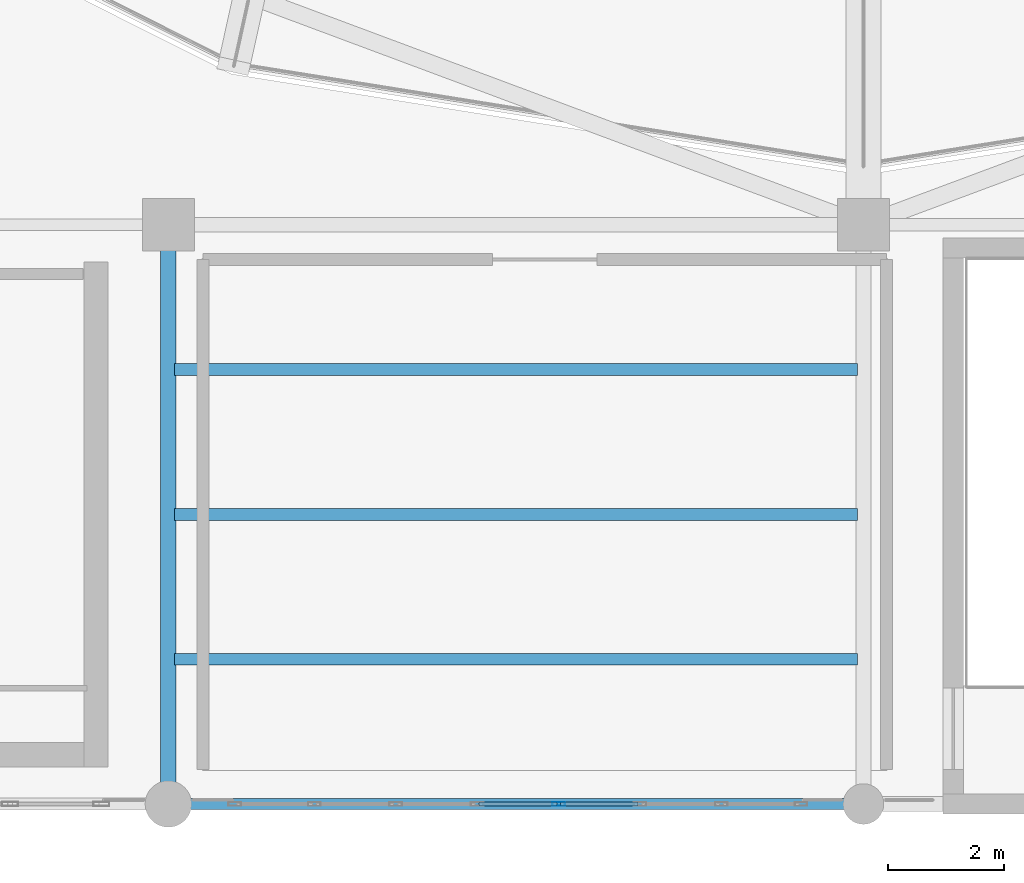
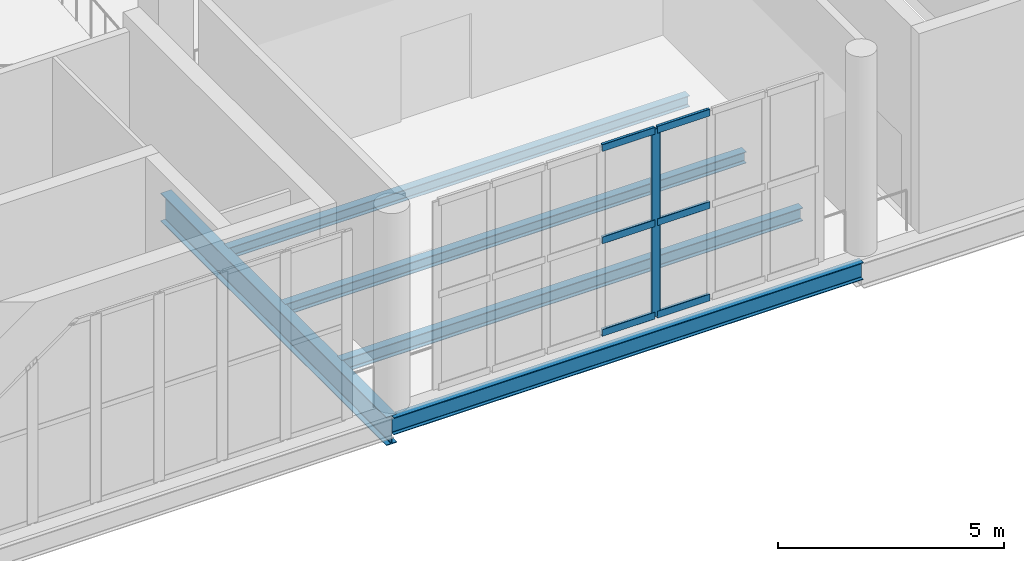
# One storey, part 10 of 74: 7 members, 5 beams, 1 element without a shape of its own.
"""IFC4 building model written with IfcOpenShell, lengths in metres."""

import ifcopenshell
import ifcopenshell.guid

model = None  # the IFC model being written
_history = None  # IfcOwnerHistory: only IFC2X3 demands one
_inside = {}  # id of a spatial element -> (the spatial element, [elements in it])
_under = {}  # id of a project, library or spatial element -> (it, [spatial elements below it])
_declared = {}  # id of a project -> (the project, [libraries it declares])
_typed = {}  # id of a type object -> (the type object, [elements of that type])
_made_of = {}  # id of a material, layer set ... -> (it, [elements and type objects made of it])


def new_model(schema):
    """Start an empty IFC model of exactly this schema.

    Asked for "IFC4X3", IfcOpenShell would pick the latest addendum, in which some entities
    have other attributes; the version numbers below select the first issue.
    IFC2X3 requires an IfcOwnerHistory on every rooted entity: one is made here for all.
    """
    global model, _history
    if schema == "IFC4X3":
        model = ifcopenshell.file(schema_version=(4, 3, 0, 0))
    else:
        model = ifcopenshell.file(schema=schema)
    _inside.clear()
    _under.clear()
    _declared.clear()
    _typed.clear()
    _made_of.clear()
    _history = None
    if model.schema == "IFC2X3":
        org = make("IfcOrganization", Name="unknown")
        user = make(
            "IfcPersonAndOrganization",
            ThePerson=make("IfcPerson", FamilyName="unknown"),
            TheOrganization=org,
        )
        app = make(
            "IfcApplication",
            ApplicationDeveloper=org,
            Version="unknown",
            ApplicationFullName="unknown",
            ApplicationIdentifier="unknown",
        )
        _history = make(
            "IfcOwnerHistory",
            OwningUser=user,
            OwningApplication=app,
            ChangeAction="ADDED",
            CreationDate=0,
        )
    return model


def make(cls, **values):
    """One entity of the class cls with the attributes given. An attribute that is None is left unset."""
    return model.create_entity(
        cls, **{name: value for name, value in values.items() if value is not None}
    )


def rooted(cls, **values):
    """An entity with a GlobalId (a new one), such as an element, a storey or a relation."""
    return make(cls, GlobalId=ifcopenshell.guid.new(), OwnerHistory=_history, **values)


def si_unit(unit_type, name, prefix=None):
    """IfcSIUnit, for example si_unit("LENGTHUNIT", "METRE", prefix="MILLI")."""
    return make("IfcSIUnit", UnitType=unit_type, Prefix=prefix, Name=name)


def assignment(units):
    """IfcUnitAssignment: the units of a project."""
    return None if units is None else make("IfcUnitAssignment", Units=units)


def point(xyz):
    """IfcCartesianPoint."""
    return None if xyz is None else make("IfcCartesianPoint", Coordinates=xyz)


def direction(xyz):
    """IfcDirection."""
    return None if xyz is None else make("IfcDirection", DirectionRatios=xyz)


def frame(location, z_axis=None, x_axis=None):
    """IfcAxis2Placement3D, a coordinate frame: its origin and axes. An axis left out is left unset."""
    return make(
        "IfcAxis2Placement3D",
        Location=point(location),
        Axis=direction(z_axis),
        RefDirection=direction(x_axis),
    )


def frame_2d(location, x_axis=None):
    """IfcAxis2Placement2D, a coordinate frame in the plane: its origin and x axis."""
    return make(
        "IfcAxis2Placement2D", Location=point(location), RefDirection=direction(x_axis)
    )


def origin():
    """The frame at (0, 0, 0) with its axes left unset."""
    return frame((0.0, 0.0, 0.0))


def origin_2d():
    """The frame at (0, 0) in the plane with its x axis left unset."""
    return frame_2d((0.0, 0.0))


def place(relative_to, where):
    """IfcLocalPlacement: puts the frame where relative to a parent placement (None: the world)."""
    return make(
        "IfcLocalPlacement", PlacementRelTo=relative_to, RelativePlacement=where
    )


def context(
    kind, dimensions, precision=None, world=None, true_north=None, identifier=None
):
    """IfcGeometricRepresentationContext, for example the 3D "Model" context."""
    return make(
        "IfcGeometricRepresentationContext",
        ContextIdentifier=identifier,
        ContextType=kind,
        CoordinateSpaceDimension=dimensions,
        Precision=precision,
        WorldCoordinateSystem=world,
        TrueNorth=true_north,
    )


def subcontext(parent, identifier, kind, view, scale=None):
    """IfcGeometricRepresentationSubContext, for example "Body" below "Model"."""
    return make(
        "IfcGeometricRepresentationSubContext",
        ContextIdentifier=identifier,
        ContextType=kind,
        ParentContext=parent,
        TargetScale=scale,
        TargetView=view,
    )


def project(units=None, contexts=None):
    """IfcProject with its units and contexts."""
    return rooted(
        "IfcProject",
        Name="project",
        RepresentationContexts=contexts,
        UnitsInContext=assignment(units),
    )


def spatial(cls, under=None, at=None, **own):
    """A site, building, storey or space (cls), placed at a placement, below another one or the project."""
    s = rooted(cls, ObjectPlacement=at, **own)
    if under is not None:
        _under.setdefault(under.id(), (under, []))[1].append(s)
    return s


def profile(cls, at=None, kind="AREA", **sizes):
    """A parametric profile (cls). Its sizes go by their IFC names, for example OverallWidth=200.0."""
    return make(cls, ProfileType=kind, Position=at, **sizes)


def hollow_rectangle(**sizes):
    """IfcRectangleHollowProfileDef."""
    return profile("IfcRectangleHollowProfileDef", **sizes)


def i_section(**sizes):
    """IfcIShapeProfileDef."""
    return profile("IfcIShapeProfileDef", **sizes)


def extrude(swept, where, along, depth):
    """IfcExtrudedAreaSolid: the profile swept, set in the frame where, extruded along a direction by depth."""
    return make(
        "IfcExtrudedAreaSolid",
        SweptArea=swept,
        Position=where,
        ExtrudedDirection=direction(along),
        Depth=depth,
    )


def shape(context_of_items, identifier, shape_type, items):
    """IfcShapeRepresentation: the items that make up one representation, for example the "Body"."""
    return make(
        "IfcShapeRepresentation",
        ContextOfItems=context_of_items,
        RepresentationIdentifier=identifier,
        RepresentationType=shape_type,
        Items=items,
    )


def material(Name=None, Category=None):
    """IfcMaterial."""
    return make("IfcMaterial", Name=Name, Category=Category)


def layer(
    of_material, thickness, ventilated=None, Name=None, Category=None, Priority=None
):
    """IfcMaterialLayer: one layer of a wall or slab, of a material (None: an air gap)."""
    return make(
        "IfcMaterialLayer",
        Material=of_material,
        LayerThickness=thickness,
        IsVentilated=ventilated,
        Name=Name,
        Category=Category,
        Priority=Priority,
    )


def layer_set(layers, Name=None):
    """IfcMaterialLayerSet."""
    return make("IfcMaterialLayerSet", MaterialLayers=layers, LayerSetName=Name)


def material_profile(
    of_material, cross_section, Name=None, Category=None, Priority=None
):
    """IfcMaterialProfile: a cross section and its material."""
    return make(
        "IfcMaterialProfile",
        Name=Name,
        Material=of_material,
        Profile=cross_section,
        Priority=Priority,
        Category=Category,
    )


def profile_set(profiles, Name=None, composite=None):
    """IfcMaterialProfileSet."""
    return make(
        "IfcMaterialProfileSet",
        Name=Name,
        MaterialProfiles=profiles,
        CompositeProfile=composite,
    )


def made_of(thing, what):
    """Note that an element or type object is made of a material, layer set ...; save() writes the relation."""
    if what is not None:
        _made_of.setdefault(what.id(), (what, []))[1].append(thing)
    return thing


def type_object(cls, material=None, **own):
    """A type object (cls), such as IfcWallType, which elements share."""
    return made_of(rooted(cls, **own), material)


def element(
    cls,
    number,
    at=None,
    inside=None,
    cuts=None,
    type_object=None,
    material=None,
    context=None,
    identifier="Body",
    shape_type=None,
    held_by="IfcProductDefinitionShape",
    body=None,
    shapes=None,
    **own,
):
    """One element of the class cls, such as IfcWall. Its Tag is "e" and its number.

    at: its placement. inside: the storey or other place that contains it. cuts: it is an
    opening in that element (IfcRelVoidsElement). A single representation is given by context,
    identifier, shape_type and body (its items); several are given by shapes. held_by: the class
    of the entity that holds the representations. save() writes the other relations.
    """
    e = rooted(cls, Tag="e%d" % number, ObjectPlacement=at, **own)
    if body is not None:
        shapes = [shape(context, identifier, shape_type, body)]
    if shapes is not None:
        e.Representation = make(held_by, Representations=shapes)
    if inside is not None:
        _inside.setdefault(inside.id(), (inside, []))[1].append(e)
    if cuts is not None:
        rooted(
            "IfcRelVoidsElement", RelatingBuildingElement=cuts, RelatedOpeningElement=e
        )
    if type_object is not None:
        _typed.setdefault(type_object.id(), (type_object, []))[1].append(e)
    return made_of(e, material)


def aggregate(whole, parts):
    """IfcRelAggregates: a whole, such as a stair, and the parts it consists of."""
    return rooted("IfcRelAggregates", RelatingObject=whole, RelatedObjects=parts)


def save(model, path):
    """Write the relations noted so far, then the file.

    IfcRelAggregates (storeys below a building ...), IfcRelContainedInSpatialStructure (elements
    in a storey), IfcRelDefinesByType, IfcRelAssociatesMaterial and IfcRelDeclares: one each for
    every whole, place, type object, material and project.
    """
    for whole, parts in _under.values():
        aggregate(whole, parts)
    for where, things in _inside.values():
        rooted(
            "IfcRelContainedInSpatialStructure",
            RelatedElements=things,
            RelatingStructure=where,
        )
    for kind, things in _typed.values():
        rooted("IfcRelDefinesByType", RelatedObjects=things, RelatingType=kind)
    for what, things in _made_of.values():
        rooted("IfcRelAssociatesMaterial", RelatedObjects=things, RelatingMaterial=what)
    for by, libraries in _declared.values():
        rooted("IfcRelDeclares", RelatingContext=by, RelatedDefinitions=libraries)
    model.write(path)


model = new_model("IFC4")

# Units and contexts
model_context = context("Model", 3, precision=1e-05, world=origin(), true_north=direction((0.0, 1.0)))
body_context = subcontext(model_context, "Body", "Model", "MODEL_VIEW")
ifc_project = project(units=[si_unit("LENGTHUNIT", "METRE"), si_unit("AREAUNIT", "SQUARE_METRE"), si_unit("VOLUMEUNIT", "CUBIC_METRE"), si_unit("PLANEANGLEUNIT", "RADIAN"), si_unit("MASSUNIT", "GRAM", prefix="KILO")], contexts=[model_context])

# Site, building, storey
site_placement = place(None, origin())
site = spatial("IfcSite", under=ifc_project, at=site_placement, CompositionType="ELEMENT")
building_placement = place(site_placement, origin())
building = spatial("IfcBuilding", under=site, at=building_placement, Name="Brinegate Civic Arena", CompositionType="ELEMENT")
storey_placement = place(building_placement, frame((0.0, 0.0, 19.199951171875)))
storey = spatial("IfcBuildingStorey", under=building, at=storey_placement, Name="L04", CompositionType="ELEMENT", Elevation=19.199951171875)

# Curtain wall, members
ifc_material_1 = material(Name="Marine grade aluminium", Category="aluminium")
ifc_layer = layer(ifc_material_1, 0.25, Name="Marine grade aluminium")
ifc_layer_set = layer_set([ifc_layer], Name="Marine grade aluminium")
curtain_wall_type = type_object("IfcCurtainWallType", Name="CW-PORTAL-SOUTH-02", PredefinedType="USERDEFINED", material=ifc_layer_set)
curtain_wall_placement = place(storey_placement, origin())
curtain_wall = element("IfcCurtainWall", 1, at=curtain_wall_placement, inside=storey, type_object=curtain_wall_type, Name="Curtain Wall CWA-147", ObjectType="PORTAL CURTAIN WALL", PredefinedType="USERDEFINED")
ifc_material_profile_1 = material_profile(ifc_material_1, hollow_rectangle(XDim=0.06494140625, YDim=0.219970703125, WallThickness=0.006103515625, InnerFilletRadius=0.00390625, OuterFilletRadius=0.008056640625, at=origin_2d()), Name="MUL65X220")
ifc_profile_set_1 = profile_set([ifc_material_profile_1], Name="Marine grade aluminium")
member_type_1 = type_object("IfcMemberType", Name="CW-MULLION-65X220", PredefinedType="MULLION", material=ifc_profile_set_1)
member_1_placement = place(storey_placement, frame((102.73828125, 0.0, 0.0), z_axis=(0.0, 0.0, 1.0), x_axis=(0.0, 1.0, 0.0)))
member_1 = element("IfcMember", 2, at=member_1_placement, type_object=member_type_1, Name="CWA-147 mullion 5", PredefinedType="MULLION", context=body_context, shape_type="SweptSolid", body=[
    extrude(hollow_rectangle(XDim=0.06494140625, YDim=0.219970703125, WallThickness=0.006103515625, InnerFilletRadius=0.00390625, OuterFilletRadius=0.008056640625, at=origin_2d()), origin(), (0.0, 0.0, 1.0), 5.070068359375),
])
ifc_material_profile_2 = material_profile(ifc_material_1, hollow_rectangle(XDim=0.074951171875, YDim=0.18994140625, WallThickness=0.006103515625, InnerFilletRadius=0.00390625, OuterFilletRadius=0.008056640625, at=origin_2d()), Name="TRN75X190")
ifc_profile_set_2 = profile_set([ifc_material_profile_2], Name="Marine grade aluminium")
member_type_2 = type_object("IfcMemberType", Name="CW-TRANSOM-75X190", PredefinedType="USERDEFINED", material=ifc_profile_set_2)
member_2_placement = place(storey_placement, frame((101.365234375, 0.0, 0.03759765625), z_axis=(1.0, 0.0, 0.0), x_axis=(0.0, 1.0, 0.0)))
member_2 = element("IfcMember", 3, at=member_2_placement, type_object=member_type_2, Name="CWA-147 transom 4.1", ObjectType="TRANSOM", PredefinedType="USERDEFINED", context=body_context, shape_type="SweptSolid", body=[
    extrude(hollow_rectangle(XDim=0.074951171875, YDim=0.18994140625, WallThickness=0.006103515625, InnerFilletRadius=0.00390625, OuterFilletRadius=0.008056640625, at=origin_2d()), origin(), (0.0, 0.0, 1.0), 1.340576171875),
])
member_3_placement = place(storey_placement, frame((101.365234375, 0.0, 2.53515625), z_axis=(1.0, 0.0, 0.0), x_axis=(0.0, 1.0, 0.0)))
member_3 = element("IfcMember", 4, at=member_3_placement, type_object=member_type_2, Name="CWA-147 transom 4.2", ObjectType="TRANSOM", PredefinedType="USERDEFINED", context=body_context, shape_type="SweptSolid", body=[
    extrude(hollow_rectangle(XDim=0.074951171875, YDim=0.18994140625, WallThickness=0.006103515625, InnerFilletRadius=0.00390625, OuterFilletRadius=0.008056640625, at=origin_2d()), origin(), (0.0, 0.0, 1.0), 1.340576171875),
])
member_4_placement = place(storey_placement, frame((101.365234375, 0.0, 5.032470703125), z_axis=(1.0, 0.0, 0.0), x_axis=(0.0, 1.0, 0.0)))
member_4 = element("IfcMember", 5, at=member_4_placement, type_object=member_type_2, Name="CWA-147 transom 4.3", ObjectType="TRANSOM", PredefinedType="USERDEFINED", context=body_context, shape_type="SweptSolid", body=[
    extrude(hollow_rectangle(XDim=0.074951171875, YDim=0.18994140625, WallThickness=0.006103515625, InnerFilletRadius=0.00390625, OuterFilletRadius=0.008056640625, at=origin_2d()), origin(), (0.0, 0.0, 1.0), 1.340576171875),
])
member_5_placement = place(storey_placement, frame((102.770751953125, 0.0, 0.03759765625), z_axis=(1.0, 0.0, 0.0), x_axis=(0.0, 1.0, 0.0)))
member_5 = element("IfcMember", 6, at=member_5_placement, type_object=member_type_2, Name="CWA-147 transom 5.1", ObjectType="TRANSOM", PredefinedType="USERDEFINED", context=body_context, shape_type="SweptSolid", body=[
    extrude(hollow_rectangle(XDim=0.074951171875, YDim=0.18994140625, WallThickness=0.006103515625, InnerFilletRadius=0.00390625, OuterFilletRadius=0.008056640625, at=origin_2d()), origin(), (0.0, 0.0, 1.0), 1.340576171875),
])
member_6_placement = place(storey_placement, frame((102.770751953125, 0.0, 2.53515625), z_axis=(1.0, 0.0, 0.0), x_axis=(0.0, 1.0, 0.0)))
member_6 = element("IfcMember", 7, at=member_6_placement, type_object=member_type_2, Name="CWA-147 transom 5.2", ObjectType="TRANSOM", PredefinedType="USERDEFINED", context=body_context, shape_type="SweptSolid", body=[
    extrude(hollow_rectangle(XDim=0.074951171875, YDim=0.18994140625, WallThickness=0.006103515625, InnerFilletRadius=0.00390625, OuterFilletRadius=0.008056640625, at=origin_2d()), origin(), (0.0, 0.0, 1.0), 1.340576171875),
])
member_7_placement = place(storey_placement, frame((102.770751953125, 0.0, 5.032470703125), z_axis=(1.0, 0.0, 0.0), x_axis=(0.0, 1.0, 0.0)))
member_7 = element("IfcMember", 8, at=member_7_placement, type_object=member_type_2, Name="CWA-147 transom 5.3", ObjectType="TRANSOM", PredefinedType="USERDEFINED", context=body_context, shape_type="SweptSolid", body=[
    extrude(hollow_rectangle(XDim=0.074951171875, YDim=0.18994140625, WallThickness=0.006103515625, InnerFilletRadius=0.00390625, OuterFilletRadius=0.008056640625, at=origin_2d()), origin(), (0.0, 0.0, 1.0), 1.340576171875),
])
aggregate(curtain_wall, [member_1, member_2, member_3, member_4, member_5, member_6, member_7])

# Beams
ifc_material_2 = material(Name="Steel S355", Category="steel")
ifc_material_profile_3 = material_profile(ifc_material_2, i_section(OverallWidth=0.26806640625, OverallDepth=0.77001953125, WebThickness=0.01611328125, FlangeThickness=0.02490234375, FilletRadius=0.02001953125, at=origin_2d()), Name="W760X196")
ifc_profile_set_3 = profile_set([ifc_material_profile_3], Name="Steel S355")
beam_type_1 = type_object("IfcBeamType", Name="GIRDER-W760X196", PredefinedType="BEAM", material=ifc_profile_set_3)
beam_1_placement = place(storey_placement, frame((96.0, 0.0, -0.724853515625), z_axis=(0.0, 1.0, 0.0), x_axis=(-1.0, 0.0, 0.0)))
element("IfcBeam", 9, at=beam_1_placement, inside=storey, type_object=beam_type_1, Name="Floor Girder BM-L04-GY-08-00", PredefinedType="BEAM", context=body_context, shape_type="SweptSolid", body=[
    extrude(i_section(OverallWidth=0.26806640625, OverallDepth=0.77001953125, WebThickness=0.01611328125, FlangeThickness=0.02490234375, FilletRadius=0.02001953125, at=origin_2d()), origin(), (0.0, 0.0, 1.0), 10.0),
])
ifc_material_profile_4 = material_profile(ifc_material_2, i_section(OverallWidth=0.202880859375, OverallDepth=0.302978515625, WebThickness=0.008056640625, FlangeThickness=0.012939453125, FilletRadius=0.012939453125, at=origin_2d()), Name="W310X60")
ifc_profile_set_4 = profile_set([ifc_material_profile_4], Name="Steel S355")
beam_type_2 = type_object("IfcBeamType", Name="JOIST-W310X60", PredefinedType="JOIST", material=ifc_profile_set_4)
beam_2_placement = place(storey_placement, frame((96.10595703125, 7.5, -0.490966796875), z_axis=(1.0, 0.0, 0.0), x_axis=(0.0, 1.0, 0.0)))
element("IfcBeam", 10, at=beam_2_placement, inside=storey, type_object=beam_type_2, Name="Secondary Joist BM-L04-JX-08-00-3", PredefinedType="JOIST", context=body_context, shape_type="SweptSolid", body=[
    extrude(i_section(OverallWidth=0.202880859375, OverallDepth=0.302978515625, WebThickness=0.008056640625, FlangeThickness=0.012939453125, FilletRadius=0.012939453125, at=origin_2d()), origin(), (0.0, 0.0, 1.0), 11.7880859375),
])
ifc_material_profile_5 = material_profile(ifc_material_2, i_section(OverallWidth=0.205078125, OverallDepth=0.31005859375, WebThickness=0.009033203125, FlangeThickness=0.01611328125, FilletRadius=0.012939453125, at=origin_2d()), Name="W310X74")
ifc_profile_set_5 = profile_set([ifc_material_profile_5], Name="Steel S355")
beam_type_3 = type_object("IfcBeamType", Name="JOIST-W310X74", PredefinedType="JOIST", material=ifc_profile_set_5)
beam_3_placement = place(storey_placement, frame((96.10595703125, 5.0, -0.494873046875), z_axis=(1.0, 0.0, 0.0), x_axis=(0.0, 1.0, 0.0)))
element("IfcBeam", 11, at=beam_3_placement, inside=storey, type_object=beam_type_3, Name="Secondary Joist BM-L04-JX-08-00-2", PredefinedType="JOIST", context=body_context, shape_type="SweptSolid", body=[
    extrude(i_section(OverallWidth=0.205078125, OverallDepth=0.31005859375, WebThickness=0.009033203125, FlangeThickness=0.01611328125, FilletRadius=0.012939453125, at=origin_2d()), origin(), (0.0, 0.0, 1.0), 11.7880859375),
])
ifc_material_profile_6 = material_profile(ifc_material_2, i_section(OverallWidth=0.205078125, OverallDepth=0.35400390625, WebThickness=0.009033203125, FlangeThickness=0.01708984375, FilletRadius=0.013916015625, at=origin_2d()), Name="W360X79")
ifc_profile_set_6 = profile_set([ifc_material_profile_6], Name="Steel S355")
beam_type_4 = type_object("IfcBeamType", Name="JOIST-W360X79", PredefinedType="JOIST", material=ifc_profile_set_6)
beam_4_placement = place(storey_placement, frame((96.10595703125, 2.5, -0.516845703125), z_axis=(1.0, 0.0, 0.0), x_axis=(0.0, 1.0, 0.0)))
element("IfcBeam", 12, at=beam_4_placement, inside=storey, type_object=beam_type_4, Name="Secondary Joist BM-L04-JX-08-00-1", PredefinedType="JOIST", context=body_context, shape_type="SweptSolid", body=[
    extrude(i_section(OverallWidth=0.205078125, OverallDepth=0.35400390625, WebThickness=0.009033203125, FlangeThickness=0.01708984375, FilletRadius=0.013916015625, at=origin_2d()), origin(), (0.0, 0.0, 1.0), 11.7880859375),
])
ifc_material_profile_7 = material_profile(ifc_material_2, i_section(OverallWidth=0.193115234375, OverallDepth=0.466064453125, WebThickness=0.010986328125, FlangeThickness=0.01904296875, FilletRadius=0.014892578125, at=origin_2d()), Name="W460X97")
ifc_profile_set_7 = profile_set([ifc_material_profile_7], Name="Steel S355")
beam_type_5 = type_object("IfcBeamType", Name="SPANDREL-W460X97", PredefinedType="SPANDREL", material=ifc_profile_set_7)
beam_5_placement = place(storey_placement, frame((96.0, 0.0, -0.572998046875), z_axis=(1.0, 0.0, 0.0), x_axis=(0.0, 1.0, 0.0)))
element("IfcBeam", 13, at=beam_5_placement, inside=storey, type_object=beam_type_5, Name="Floor Girder BM-L04-GX-08-00", PredefinedType="SPANDREL", context=body_context, shape_type="SweptSolid", body=[
    extrude(i_section(OverallWidth=0.193115234375, OverallDepth=0.466064453125, WebThickness=0.010986328125, FlangeThickness=0.01904296875, FilletRadius=0.014892578125, at=origin_2d()), origin(), (0.0, 0.0, 1.0), 12.0),
])

save(model, "model.ifc")
